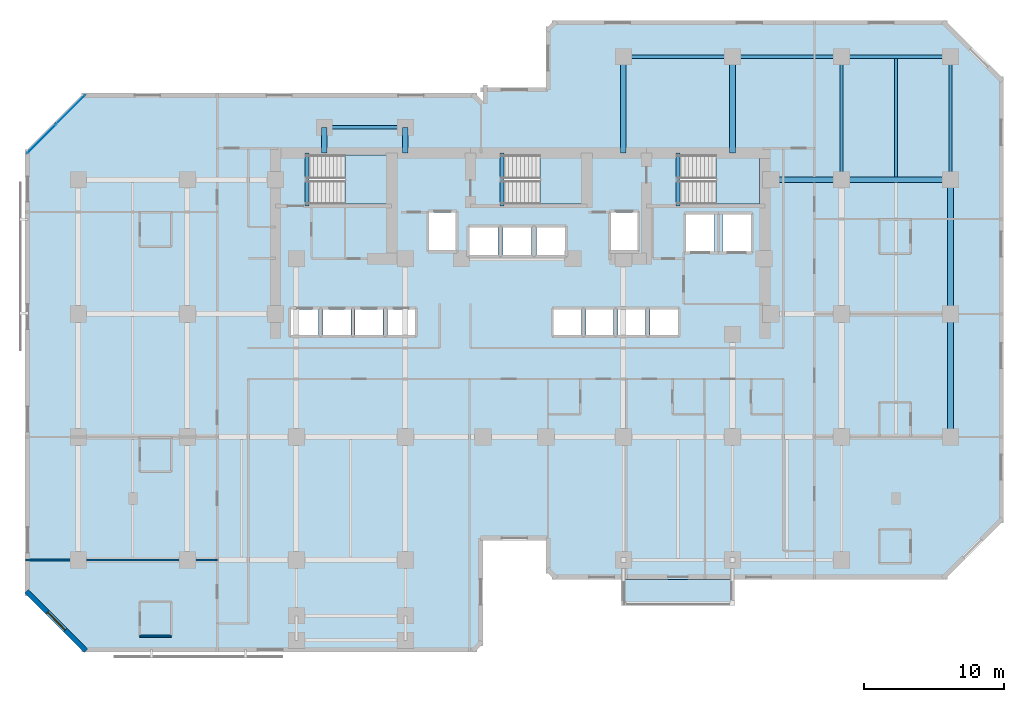
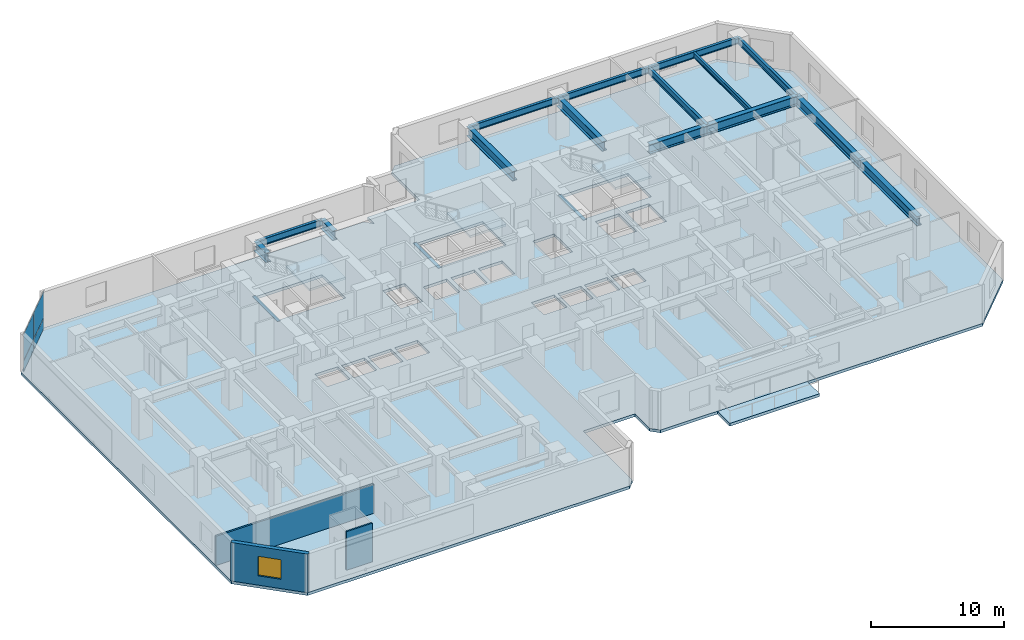
# One storey, part 5 of 12: 18 beams, 5 slabs, 4 plates, 3 walls, 1 window, 1 opening, 4 elements without a shape of their own.
"""IFC4 building model written with IfcOpenShell, lengths in metres."""

from ifc_helpers import new_model, si_unit, direction, frame, frame_2d, origin, origin_2d, place, context, subcontext, project, spatial, polyline, rectangle, i_section, outline, extrude, material, layer, layer_set, material_profile, profile_set, type_object, element, fill, aggregate, save


model = new_model("IFC4")

# Units and contexts
model_context = context("Model", 3, precision=1e-05, world=origin(), true_north=direction((0.0, 1.0)))
body_context = subcontext(model_context, "Body", "Model", "MODEL_VIEW")
ifc_project = project(units=[si_unit("LENGTHUNIT", "METRE"), si_unit("AREAUNIT", "SQUARE_METRE"), si_unit("VOLUMEUNIT", "CUBIC_METRE"), si_unit("PLANEANGLEUNIT", "RADIAN"), si_unit("MASSUNIT", "GRAM", prefix="KILO")], contexts=[model_context])

# Site, building, storey
site_placement = place(None, origin())
site = spatial("IfcSite", under=ifc_project, at=site_placement, CompositionType="ELEMENT")
building_placement = place(site_placement, origin())
building = spatial("IfcBuilding", under=site, at=building_placement, Name="Kestravale Grand Hotel", CompositionType="ELEMENT")
storey_placement = place(building_placement, frame((0.0, 0.0, 118.39990234375)))
storey = spatial("IfcBuildingStorey", under=building, at=storey_placement, Name="L29", CompositionType="ELEMENT", Elevation=118.39990234375)

# Beams
ifc_material_1 = material(Name="Steel ASTM A992 Grade 50", Category="steel")
ifc_material_profile_1 = material_profile(ifc_material_1, i_section(OverallWidth=0.19091796875, OverallDepth=0.45703125, WebThickness=0.009033203125, FlangeThickness=0.014404296875, FilletRadius=0.015380859375, at=origin_2d()))
ifc_profile_set_1 = profile_set([ifc_material_profile_1], Name="Steel ASTM A992 Grade 50")
beam_type_1 = type_object("IfcBeamType", Name="B-FLR-JST18", PredefinedType="JOIST", material=ifc_profile_set_1)
beam_1_placement = place(storey_placement, frame((66.300048828125, 38.6005859375, 3.3115234375), z_axis=(0.0, 1.0, 0.0), x_axis=(-1.0, 0.0, 0.0)))
element("IfcBeam", 1, at=beam_1_placement, inside=storey, type_object=beam_type_1, Name="L29 floor joist 10-11/F-G #1", PredefinedType="JOIST", context=body_context, shape_type="SweptSolid", body=[
    extrude(i_section(OverallWidth=0.19091796875, OverallDepth=0.45703125, WebThickness=0.009033203125, FlangeThickness=0.014404296875, FilletRadius=0.015380859375, at=origin_2d()), origin(), (0.0, 0.0, 1.0), 8.48486328125),
])
ifc_material_2 = material(Name="Concrete f'c 45 MPa", Category="concrete")
ifc_material_profile_2 = material_profile(ifc_material_2, rectangle(XDim=0.300048828125, YDim=0.39990234375, at=origin_2d()))
ifc_profile_set_2 = profile_set([ifc_material_profile_2], Name="Concrete f'c 45 MPa")
beam_type_2 = type_object("IfcBeamType", Name="B-FLR-LNT400", PredefinedType="LINTEL", material=ifc_profile_set_2)
for number, where, z_axis, x_axis, name in (
    (2, (24.159912109375, 36.52001953125, -0.199951171875), (0.0, 1.0, 0.0), (-1.0, 0.0, 0.0), "L29 ST1 flight bottom header beam"),
    (3, (38.110107421875, 36.52001953125, -0.199951171875), (0.0, 1.0, 0.0), (-1.0, 0.0, 0.0), "L29 ST2 flight bottom header beam"),
    (4, (50.7099609375, 36.52001953125, -0.199951171875), (0.0, 1.0, 0.0), (-1.0, 0.0, 0.0), "L29 ST3 flight bottom header beam"),
):
    element("IfcBeam", number, at=place(storey_placement, frame(where, z_axis=z_axis, x_axis=x_axis)), inside=storey, type_object=beam_type_2, Name=name, PredefinedType="LINTEL", context=body_context, shape_type="SweptSolid", body=[
        extrude(rectangle(XDim=0.300048828125, YDim=0.39990234375, at=origin_2d()), origin(), (0.0, 0.0, 1.0), 3.800048828125),
    ])
ifc_material_3 = material(Name="Steel ASTM A992 Grade 50", Category="steel")
ifc_material_profile_3 = material_profile(ifc_material_3, i_section(OverallWidth=0.22900390625, OverallDepth=0.612060546875, WebThickness=0.011962890625, FlangeThickness=0.01953125, FilletRadius=0.019287109375, at=origin_2d()))
ifc_profile_set_3 = profile_set([ifc_material_profile_3], Name="Steel ASTM A992 Grade 50")
beam_type_3 = type_object("IfcBeamType", Name="B-FLR-W24B", PredefinedType="SPANDREL", material=ifc_profile_set_3)
beam_2_placement = place(storey_placement, frame((46.800048828125, 47.199951171875, 3.234130859375), z_axis=(1.0, 0.0, 0.0), x_axis=(0.0, 1.0, 0.0)))
element("IfcBeam", 5, at=beam_2_placement, inside=storey, type_object=beam_type_3, Name="L29 spandrel G:8-9", PredefinedType="SPANDREL", context=body_context, shape_type="SweptSolid", body=[
    extrude(i_section(OverallWidth=0.22900390625, OverallDepth=0.612060546875, WebThickness=0.011962890625, FlangeThickness=0.01953125, FilletRadius=0.019287109375, at=origin_2d()), origin(), (0.0, 0.0, 1.0), 7.800048828125),
])
beam_3_placement = place(storey_placement, frame((54.60009765625, 47.199951171875, 3.234130859375), z_axis=(1.0, 0.0, 0.0), x_axis=(0.0, 1.0, 0.0)))
element("IfcBeam", 6, at=beam_3_placement, inside=storey, type_object=beam_type_3, Name="L29 spandrel G:9-10", PredefinedType="SPANDREL", context=body_context, shape_type="SweptSolid", body=[
    extrude(i_section(OverallWidth=0.22900390625, OverallDepth=0.612060546875, WebThickness=0.011962890625, FlangeThickness=0.01953125, FilletRadius=0.019287109375, at=origin_2d()), origin(), (0.0, 0.0, 1.0), 7.7998046875),
])
beam_4_placement = place(storey_placement, frame((62.39990234375, 47.199951171875, 3.234130859375), z_axis=(1.0, 0.0, 0.0), x_axis=(0.0, 1.0, 0.0)))
element("IfcBeam", 7, at=beam_4_placement, inside=storey, type_object=beam_type_3, Name="L29 spandrel G:10-11", PredefinedType="SPANDREL", context=body_context, shape_type="SweptSolid", body=[
    extrude(i_section(OverallWidth=0.22900390625, OverallDepth=0.612060546875, WebThickness=0.011962890625, FlangeThickness=0.01953125, FilletRadius=0.019287109375, at=origin_2d()), origin(), (0.0, 0.0, 1.0), 7.800048828125),
])
beam_5_placement = place(storey_placement, frame((25.39990234375, 42.14990234375, 3.234130859375), z_axis=(1.0, 0.0, 0.0), x_axis=(0.0, 1.0, 0.0)))
element("IfcBeam", 8, at=beam_5_placement, inside=storey, type_object=beam_type_3, Name="L29 perimeter tie spandrel FN:4-5", PredefinedType="SPANDREL", context=body_context, shape_type="SweptSolid", body=[
    extrude(i_section(OverallWidth=0.22900390625, OverallDepth=0.612060546875, WebThickness=0.011962890625, FlangeThickness=0.01953125, FilletRadius=0.019287109375, at=origin_2d()), origin(), (0.0, 0.0, 1.0), 5.800048828125),
])
for number, where, z_axis, x_axis, name in (
    (9, (62.39990234375, 38.39990234375, 3.234130859375), (0.0, 1.0, 0.0), (-1.0, 0.0, 0.0), "L29 spandrel 10:F-G"),
    (10, (70.199951171875, 38.39990234375, 3.234130859375), (0.0, 1.0, 0.0), (-1.0, 0.0, 0.0), "L29 spandrel 11:F-G"),
):
    element("IfcBeam", number, at=place(storey_placement, frame(where, z_axis=z_axis, x_axis=x_axis)), inside=storey, type_object=beam_type_3, Name=name, PredefinedType="SPANDREL", context=body_context, shape_type="SweptSolid", body=[
        extrude(i_section(OverallWidth=0.22900390625, OverallDepth=0.612060546875, WebThickness=0.011962890625, FlangeThickness=0.01953125, FilletRadius=0.019287109375, at=origin_2d()), origin(), (0.0, 0.0, 1.0), 8.800048828125),
    ])
ifc_material_4 = material(Name="Steel ASTM A992 Grade 50", Category="steel")
ifc_material_profile_4 = material_profile(ifc_material_4, i_section(OverallWidth=0.40087890625, OverallDepth=0.861083984375, WebThickness=0.019775390625, FlangeThickness=0.032470703125, FilletRadius=0.0234375, at=origin_2d()))
ifc_profile_set_4 = profile_set([ifc_material_profile_4], Name="Steel ASTM A992 Grade 50")
beam_type_4 = type_object("IfcBeamType", Name="B-GRD-W33", PredefinedType="BEAM", material=ifc_profile_set_4)
beam_6_placement = place(storey_placement, frame((57.35009765625, 38.39990234375, 3.109619140625), z_axis=(1.0, 0.0, 0.0), x_axis=(0.0, 1.0, 0.0)))
element("IfcBeam", 11, at=beam_6_placement, inside=storey, type_object=beam_type_4, Name="L29 girder F:CE-10", PredefinedType="BEAM", context=body_context, shape_type="SweptSolid", body=[
    extrude(i_section(OverallWidth=0.40087890625, OverallDepth=0.861083984375, WebThickness=0.019775390625, FlangeThickness=0.032470703125, FilletRadius=0.0234375, at=origin_2d()), origin(), (0.0, 0.0, 1.0), 5.0498046875),
])
beam_7_placement = place(storey_placement, frame((62.39990234375, 38.39990234375, 3.109619140625), z_axis=(1.0, 0.0, 0.0), x_axis=(0.0, 1.0, 0.0)))
element("IfcBeam", 12, at=beam_7_placement, inside=storey, type_object=beam_type_4, Name="L29 girder F:10-11", PredefinedType="BEAM", context=body_context, shape_type="SweptSolid", body=[
    extrude(i_section(OverallWidth=0.40087890625, OverallDepth=0.861083984375, WebThickness=0.019775390625, FlangeThickness=0.032470703125, FilletRadius=0.0234375, at=origin_2d()), origin(), (0.0, 0.0, 1.0), 7.800048828125),
])
beam_8_placement = place(storey_placement, frame((70.199951171875, 20.0, 3.109619140625), z_axis=(0.0, 1.0, 0.0), x_axis=(-1.0, 0.0, 0.0)))
element("IfcBeam", 13, at=beam_8_placement, inside=storey, type_object=beam_type_4, Name="L29 girder 11:D-E", PredefinedType="BEAM", context=body_context, shape_type="SweptSolid", body=[
    extrude(i_section(OverallWidth=0.40087890625, OverallDepth=0.861083984375, WebThickness=0.019775390625, FlangeThickness=0.032470703125, FilletRadius=0.0234375, at=origin_2d()), origin(), (0.0, 0.0, 1.0), 8.800048828125),
])
beam_9_placement = place(storey_placement, frame((70.199951171875, 28.800048828125, 3.109619140625), z_axis=(0.0, 1.0, 0.0), x_axis=(-1.0, 0.0, 0.0)))
element("IfcBeam", 14, at=beam_9_placement, inside=storey, type_object=beam_type_4, Name="L29 girder 11:E-F", PredefinedType="BEAM", context=body_context, shape_type="SweptSolid", body=[
    extrude(i_section(OverallWidth=0.40087890625, OverallDepth=0.861083984375, WebThickness=0.019775390625, FlangeThickness=0.032470703125, FilletRadius=0.0234375, at=origin_2d()), origin(), (0.0, 0.0, 1.0), 9.599853515625),
])
for number, where, z_axis, x_axis, name in (
    (15, (25.39990234375, 40.320068359375, 3.109619140625), (0.0, 1.0, 0.0), (-1.0, 0.0, 0.0), "L29 north wing tie girder 4:CN-FN"),
    (16, (31.199951171875, 40.320068359375, 3.109619140625), (0.0, 1.0, 0.0), (-1.0, 0.0, 0.0), "L29 north wing tie girder 5:CN-FN"),
):
    element("IfcBeam", number, at=place(storey_placement, frame(where, z_axis=z_axis, x_axis=x_axis)), inside=storey, type_object=beam_type_4, Name=name, PredefinedType="BEAM", context=body_context, shape_type="SweptSolid", body=[
        extrude(i_section(OverallWidth=0.40087890625, OverallDepth=0.861083984375, WebThickness=0.019775390625, FlangeThickness=0.032470703125, FilletRadius=0.0234375, at=origin_2d()), origin(), (0.0, 0.0, 1.0), 1.829833984375),
    ])
for number, where, z_axis, x_axis, name in (
    (17, (46.800048828125, 40.320068359375, 3.109619140625), (0.0, 1.0, 0.0), (-1.0, 0.0, 0.0), "L29 north wing tie girder 8:CN-G"),
    (18, (54.60009765625, 40.320068359375, 3.109619140625), (0.0, 1.0, 0.0), (-1.0, 0.0, 0.0), "L29 north wing tie girder 9:CN-G"),
):
    element("IfcBeam", number, at=place(storey_placement, frame(where, z_axis=z_axis, x_axis=x_axis)), inside=storey, type_object=beam_type_4, Name=name, PredefinedType="BEAM", context=body_context, shape_type="SweptSolid", body=[
        extrude(i_section(OverallWidth=0.40087890625, OverallDepth=0.861083984375, WebThickness=0.019775390625, FlangeThickness=0.032470703125, FilletRadius=0.0234375, at=origin_2d()), origin(), (0.0, 0.0, 1.0), 6.8798828125),
    ])

# Curtain wall, plates
ifc_material_5 = material(Name="Thermally broken champagne-bronze aluminium and low-E glazing", Category="aluminium")
ifc_layer_1 = layer(ifc_material_5, 0.199951171875)
ifc_layer_set_1 = layer_set([ifc_layer_1], Name="CW-Z2")
curtain_wall_type = type_object("IfcCurtainWallType", Name="CW-Z2", PredefinedType="NOTDEFINED", material=ifc_layer_set_1)
curtain_wall_placement = place(storey_placement, origin())
curtain_wall = element("IfcCurtainWall", 19, at=curtain_wall_placement, inside=storey, type_object=curtain_wall_type, Name="L29 unitised curtain wall 18", PredefinedType="NOTDEFINED")
ifc_material_6 = material(Name="Insulated clear low-E double glazing IGU", Category="glass")
ifc_layer_2 = layer(ifc_material_6, 0.031982421875)
ifc_layer_set_2 = layer_set([ifc_layer_2], Name="CW-PNL-32")
plate_type = type_object("IfcPlateType", Name="CW-PNL-32", PredefinedType="CURTAIN_PANEL", material=ifc_layer_set_2)
plate_1_placement = place(storey_placement, frame((7.26416015625, 43.423583984375, 0.06494140625), z_axis=(0.0, 0.0, 1.0), x_axis=(-0.707106781187, -0.707106781187, 0.0)))
plate_1 = element("IfcPlate", 20, at=plate_1_placement, type_object=plate_type, Name="CW-Z2 panel 1.1", PredefinedType="CURTAIN_PANEL", context=body_context, shape_type="SweptSolid", body=[
    extrude(rectangle(XDim=2.87744140625, YDim=0.031982421875, at=origin_2d()), origin(), (0.0, 0.0, 1.0), 0.952392578125),
])
plate_2_placement = place(storey_placement, frame((7.26416015625, 43.423583984375, 1.08251953125), z_axis=(0.0, 0.0, 1.0), x_axis=(-0.707106781187, -0.707106781187, 0.0)))
plate_2 = element("IfcPlate", 21, at=plate_2_placement, type_object=plate_type, Name="CW-Z2 panel 1.2", PredefinedType="CURTAIN_PANEL", context=body_context, shape_type="SweptSolid", body=[
    extrude(rectangle(XDim=2.87744140625, YDim=0.031982421875, at=origin_2d()), origin(), (0.0, 0.0, 1.0), 2.392578125),
])
plate_3_placement = place(storey_placement, frame((5.17626953125, 41.3359375, 0.06494140625), z_axis=(0.0, 0.0, 1.0), x_axis=(-0.707106781187, -0.707106781187, 0.0)))
plate_3 = element("IfcPlate", 22, at=plate_3_placement, type_object=plate_type, Name="CW-Z2 panel 2.1", PredefinedType="CURTAIN_PANEL", context=body_context, shape_type="SweptSolid", body=[
    extrude(rectangle(XDim=2.87744140625, YDim=0.031982421875, at=origin_2d()), origin(), (0.0, 0.0, 1.0), 0.952392578125),
])
plate_4_placement = place(storey_placement, frame((5.17626953125, 41.3359375, 1.08251953125), z_axis=(0.0, 0.0, 1.0), x_axis=(-0.707106781187, -0.707106781187, 0.0)))
plate_4 = element("IfcPlate", 23, at=plate_4_placement, type_object=plate_type, Name="CW-Z2 panel 2.2", PredefinedType="CURTAIN_PANEL", context=body_context, shape_type="SweptSolid", body=[
    extrude(rectangle(XDim=2.87744140625, YDim=0.031982421875, at=origin_2d()), origin(), (0.0, 0.0, 1.0), 2.392578125),
])
aggregate(curtain_wall, [plate_1, plate_2, plate_3, plate_4])

# Slab
ifc_material_7 = material(Name="Concrete f'c 45 MPa", Category="concrete")
ifc_layer_3 = layer(ifc_material_7, 0.27001953125)
ifc_layer_set_3 = layer_set([ifc_layer_3], Name="ES-TERR-270")
slab_type_1 = type_object("IfcSlabType", Name="ES-TERR-270", PredefinedType="FLOOR", material=ifc_layer_set_3)
slab_1_placement = place(storey_placement, frame((0.0, 0.0, -0.27001953125)))
element("IfcSlab", 24, at=slab_1_placement, inside=storey, type_object=slab_type_1, Name="L29 spiralling planted garden terrace", PredefinedType="FLOOR", context=body_context, shape_type="SweptSolid", body=[
    extrude(outline(polyline([(46.800048828125, 7.949951171875), (54.60009765625, 7.949951171875), (54.60009765625, 9.800048828125), (46.800048828125, 9.800048828125), (46.800048828125, 7.949951171875)])), origin(), (0.0, 0.0, 1.0), 0.27001953125),
])

# Stair, slab
ifc_material_8 = material(Name="Concrete f'c 45 MPa", Category="concrete")
stair_type = type_object("IfcStairType", Name="ST-CORE-380", PredefinedType="HALF_TURN_STAIR", material=ifc_material_8)
stair_1_placement = place(storey_placement, origin())
stair_1 = element("IfcStair", 25, at=stair_1_placement, inside=storey, type_object=stair_type, Name="L29 ST-1", PredefinedType="HALF_TURN_STAIR")
ifc_material_9 = material(Name="Concrete f'c 45 MPa", Category="concrete")
ifc_layer_4 = layer(ifc_material_9, 0.199951171875)
ifc_layer_set_4 = layer_set([ifc_layer_4], Name="SLB-ST-LND200")
slab_type_2 = type_object("IfcSlabType", Name="SLB-ST-LND200", PredefinedType="LANDING", material=ifc_layer_set_4)
slab_2_placement = place(storey_placement, frame((0.0, 0.0, 1.7001953125)))
slab_2 = element("IfcSlab", 26, at=slab_2_placement, type_object=slab_type_2, Name="ST-1 landing 1", PredefinedType="LANDING", context=body_context, shape_type="SweptSolid", body=[
    extrude(outline(polyline([(26.8798828125, 36.64990234375), (30.0, 36.64990234375), (30.0, 40.159912109375), (26.8798828125, 40.159912109375), (26.8798828125, 36.64990234375)])), origin(), (0.0, 0.0, 1.0), 0.199951171875),
])
aggregate(stair_1, [slab_2])

stair_2_placement = place(storey_placement, origin())
stair_2 = element("IfcStair", 27, at=stair_2_placement, inside=storey, type_object=stair_type, Name="L29 ST-2", PredefinedType="HALF_TURN_STAIR")
slab_3_placement = place(storey_placement, frame((0.0, 0.0, 1.7001953125)))
slab_3 = element("IfcSlab", 28, at=slab_3_placement, type_object=slab_type_2, Name="ST-2 landing 1", PredefinedType="LANDING", context=body_context, shape_type="SweptSolid", body=[
    extrude(outline(polyline([(40.830078125, 36.64990234375), (43.949951171875, 36.64990234375), (43.949951171875, 40.159912109375), (40.830078125, 40.159912109375), (40.830078125, 36.64990234375)])), origin(), (0.0, 0.0, 1.0), 0.199951171875),
])
aggregate(stair_2, [slab_3])

stair_3_placement = place(storey_placement, origin())
stair_3 = element("IfcStair", 29, at=stair_3_placement, inside=storey, type_object=stair_type, Name="L29 ST-3", PredefinedType="HALF_TURN_STAIR")
slab_4_placement = place(storey_placement, frame((0.0, 0.0, 1.7001953125)))
slab_4 = element("IfcSlab", 30, at=slab_4_placement, type_object=slab_type_2, Name="ST-3 landing 1", PredefinedType="LANDING", context=body_context, shape_type="SweptSolid", body=[
    extrude(outline(polyline([(53.429931640625, 36.64990234375), (56.550048828125, 36.64990234375), (56.550048828125, 40.159912109375), (53.429931640625, 40.159912109375), (53.429931640625, 36.64990234375)])), origin(), (0.0, 0.0, 1.0), 0.199951171875),
])
aggregate(stair_3, [slab_4])

# Slab
ifc_material_10 = material(Name="Concrete f'c 45 MPa", Category="concrete")
ifc_layer_5 = layer(ifc_material_10, 0.260009765625)
ifc_layer_set_5 = layer_set([ifc_layer_5], Name="SS-FLR-260")
slab_type_3 = type_object("IfcSlabType", Name="SS-FLR-260", PredefinedType="FLOOR", material=ifc_layer_set_5)
slab_5_placement = place(storey_placement, frame((0.0, 0.0, -0.260009765625)))
element("IfcSlab", 31, at=slab_5_placement, inside=storey, type_object=slab_type_3, Name="L29 structural floor slab", PredefinedType="FLOOR", context=body_context, shape_type="SweptSolid", body=[
    extrude(outline(polyline([(8.199951171875, 4.60009765625), (36.14990234375, 4.60009765625), (36.75, 5.199951171875), (36.75, 12.60009765625), (41.25, 12.60009765625), (41.25, 10.39990234375), (41.85009765625, 9.800048828125), (69.800048828125, 9.800048828125), (74.0, 14.0), (74.0, 45.60009765625), (69.800048828125, 49.800048828125), (41.85009765625, 49.800048828125), (41.25, 49.199951171875), (41.25, 45.0), (36.75, 45.0), (36.75, 44.0), (36.14990234375, 44.60009765625), (8.199951171875, 44.60009765625), (4.0, 40.39990234375), (4.0, 8.800048828125), (8.199951171875, 4.60009765625)]), holes=[polyline([(24.080078125, 36.64990234375), (30.0, 36.64990234375), (30.0, 40.159912109375), (24.080078125, 40.159912109375), (24.080078125, 36.64990234375)]), polyline([(38.030029296875, 36.64990234375), (43.949951171875, 36.64990234375), (43.949951171875, 40.159912109375), (38.030029296875, 40.159912109375), (38.030029296875, 36.64990234375)]), polyline([(50.6298828125, 36.64990234375), (56.550048828125, 36.64990234375), (56.550048828125, 40.159912109375), (50.6298828125, 40.159912109375), (50.6298828125, 36.64990234375)]), polyline([(23.0048828125, 27.280029296875), (24.9951171875, 27.280029296875), (24.9951171875, 29.1201171875), (23.0048828125, 29.1201171875), (23.0048828125, 27.280029296875)]), polyline([(25.304931640625, 27.280029296875), (27.294921875, 27.280029296875), (27.294921875, 29.1201171875), (25.304931640625, 29.1201171875), (25.304931640625, 27.280029296875)]), polyline([(27.60498046875, 27.280029296875), (29.594970703125, 27.280029296875), (29.594970703125, 29.1201171875), (27.60498046875, 29.1201171875), (27.60498046875, 27.280029296875)]), polyline([(29.905029296875, 27.280029296875), (31.89501953125, 27.280029296875), (31.89501953125, 29.1201171875), (29.905029296875, 29.1201171875), (29.905029296875, 27.280029296875)]), polyline([(41.804931640625, 27.280029296875), (43.794921875, 27.280029296875), (43.794921875, 29.1201171875), (41.804931640625, 29.1201171875), (41.804931640625, 27.280029296875)]), polyline([(44.10498046875, 27.280029296875), (46.094970703125, 27.280029296875), (46.094970703125, 29.1201171875), (44.10498046875, 29.1201171875), (44.10498046875, 27.280029296875)]), polyline([(46.405029296875, 27.280029296875), (48.39501953125, 27.280029296875), (48.39501953125, 29.1201171875), (46.405029296875, 29.1201171875), (46.405029296875, 27.280029296875)]), polyline([(48.705078125, 27.280029296875), (50.695068359375, 27.280029296875), (50.695068359375, 29.1201171875), (48.705078125, 29.1201171875), (48.705078125, 27.280029296875)]), polyline([(35.780029296875, 33.030029296875), (37.820068359375, 33.030029296875), (37.820068359375, 34.969970703125), (35.780029296875, 34.969970703125), (35.780029296875, 33.030029296875)]), polyline([(38.179931640625, 33.030029296875), (40.219970703125, 33.030029296875), (40.219970703125, 34.969970703125), (38.179931640625, 34.969970703125), (38.179931640625, 33.030029296875)]), polyline([(40.580078125, 33.030029296875), (42.6201171875, 33.030029296875), (42.6201171875, 34.969970703125), (40.580078125, 34.969970703125), (40.580078125, 33.030029296875)]), polyline([(32.905029296875, 33.35498046875), (34.794921875, 33.35498046875), (34.794921875, 36.044921875), (32.905029296875, 36.044921875), (32.905029296875, 33.35498046875)]), polyline([(45.905029296875, 33.35498046875), (47.794921875, 33.35498046875), (47.794921875, 36.044921875), (45.905029296875, 36.044921875), (45.905029296875, 33.35498046875)]), polyline([(51.280029296875, 33.280029296875), (53.320068359375, 33.280029296875), (53.320068359375, 35.919921875), (51.280029296875, 35.919921875), (51.280029296875, 33.280029296875)]), polyline([(53.8798828125, 33.280029296875), (55.919921875, 33.280029296875), (55.919921875, 35.919921875), (53.8798828125, 35.919921875), (53.8798828125, 33.280029296875)])]), origin(), (0.0, 0.0, 1.0), 0.260009765625),
])

# Wall, opening, window
ifc_material_11 = material(Name="Precast concrete f'c 45 MPa", Category="concrete")
ifc_layer_6 = layer(ifc_material_11, 0.340087890625)
ifc_layer_set_6 = layer_set([ifc_layer_6], Name="EW-PREC-340")
wall_type_1 = type_object("IfcWallType", Name="EW-PREC-340", PredefinedType="SOLIDWALL", material=ifc_layer_set_6)
wall_1_placement = place(storey_placement, frame((4.091796875, 8.948486328125, 0.0), z_axis=(0.0, 0.0, 1.0), x_axis=(0.707106781187, -0.707106781187, 0.0)))
wall_1 = element("IfcWall", 32, at=wall_1_placement, inside=storey, type_object=wall_type_1, Name="L29 fluted precast facade wall 20", PredefinedType="SOLIDWALL", context=body_context, shape_type="SweptSolid", body=[
    extrude(rectangle(XDim=6.019775390625, YDim=0.340087890625, at=frame_2d((3.009765625, 0.0))), origin(), (0.0, 0.0, 1.0), 3.5400390625),
])
opening_placement = place(wall_1_placement, frame((2.10986328125, 0.0, 0.85009765625)))
opening = element("IfcOpeningElement", 33, at=opening_placement, cuts=wall_1, Name="Opening W-GUEST-1800", PredefinedType="OPENING", context=body_context, shape_type="SweptSolid", body=[
    extrude(rectangle(XDim=1.800048828125, YDim=1.800048828125, at=frame_2d((0.89990234375, 0.89990234375))), frame((0.0, 0.179931640625, 0.0), z_axis=(0.0, -1.0, 0.0), x_axis=(1.0, 0.0, 0.0)), (0.0, 0.0, 1.0), 0.360107421875),
])
ifc_material_12 = material(Name="Insulated low-E double glazing in aluminium frame", Category="aluminium")
window_type = type_object("IfcWindowType", Name="W-GUEST-1800", PartitioningType="DOUBLE_PANEL_VERTICAL", PredefinedType="WINDOW", material=ifc_material_12)
window_placement = place(opening_placement, origin())
window = element("IfcWindow", 34, at=window_placement, inside=storey, type_object=window_type, Name="L29 exterior window 20.1", OverallHeight=1.800048828125, OverallWidth=1.800048828125, PartitioningType="SINGLE_PANEL", PredefinedType="WINDOW", context=body_context, shape_type="SweptSolid", body=[
    extrude(rectangle(XDim=1.800048828125, YDim=1.800048828125, at=frame_2d((0.89990234375, 0.89990234375))), frame((0.0, 0.030029296875, 0.0), z_axis=(0.0, -1.0, 0.0), x_axis=(1.0, 0.0, 0.0)), (0.0, 0.0, 1.0), 0.06005859375),
])
fill(opening, window)

# Walls
ifc_material_13 = material(Name="Moisture-resistant tile-backer plumbing chase wall", Category="other")
ifc_layer_7 = layer(ifc_material_13, 0.139892578125)
ifc_layer_set_7 = layer_set([ifc_layer_7], Name="IW-PLB-140")
wall_type_2 = type_object("IfcWallType", Name="IW-PLB-140", PredefinedType="PLUMBINGWALL", material=ifc_layer_set_7)
wall_2_placement = place(storey_placement, frame((12.199951171875, 5.75, 0.0), z_axis=(0.0, 0.0, 1.0), x_axis=(1.0, 0.0, 0.0)))
element("IfcWall", 35, at=wall_2_placement, inside=storey, type_object=wall_type_2, Name="W-L29-U04-BS", PredefinedType="PLUMBINGWALL", context=body_context, shape_type="SweptSolid", body=[
    extrude(rectangle(XDim=2.25, YDim=0.139892578125, at=frame_2d((1.125, 0.0))), origin(), (0.0, 0.0, 1.0), 3.5400390625),
])
ifc_material_14 = material(Name="Double-stud STC 52 acoustic demising partition", Category="other")
ifc_layer_8 = layer(ifc_material_14, 0.14990234375)
ifc_layer_set_8 = layer_set([ifc_layer_8], Name="IW-UNIT-150")
wall_type_3 = type_object("IfcWallType", Name="IW-UNIT-150", PredefinedType="PARTITIONING", material=ifc_layer_set_8)
wall_3_placement = place(storey_placement, frame((4.02001953125, 11.199951171875, 0.0), z_axis=(0.0, 0.0, 1.0), x_axis=(1.0, 0.0, 0.0)))
element("IfcWall", 36, at=wall_3_placement, inside=storey, type_object=wall_type_3, Name="W-L29-WW-1", PredefinedType="PARTITIONING", context=body_context, shape_type="SweptSolid", body=[
    extrude(rectangle(XDim=13.719970703125, YDim=0.14990234375, at=frame_2d((6.85986328125, 0.0))), origin(), (0.0, 0.0, 1.0), 2.67919921875),
])

save(model, "model.ifc")
